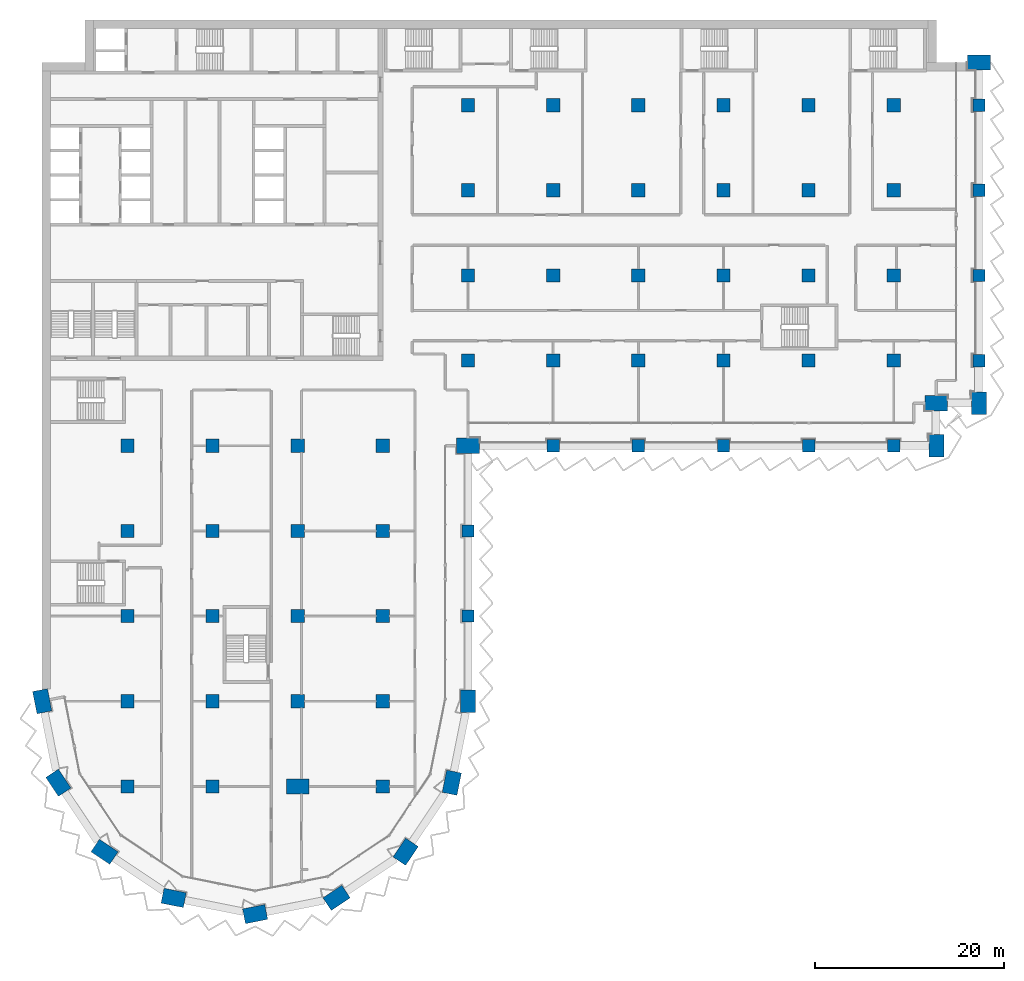
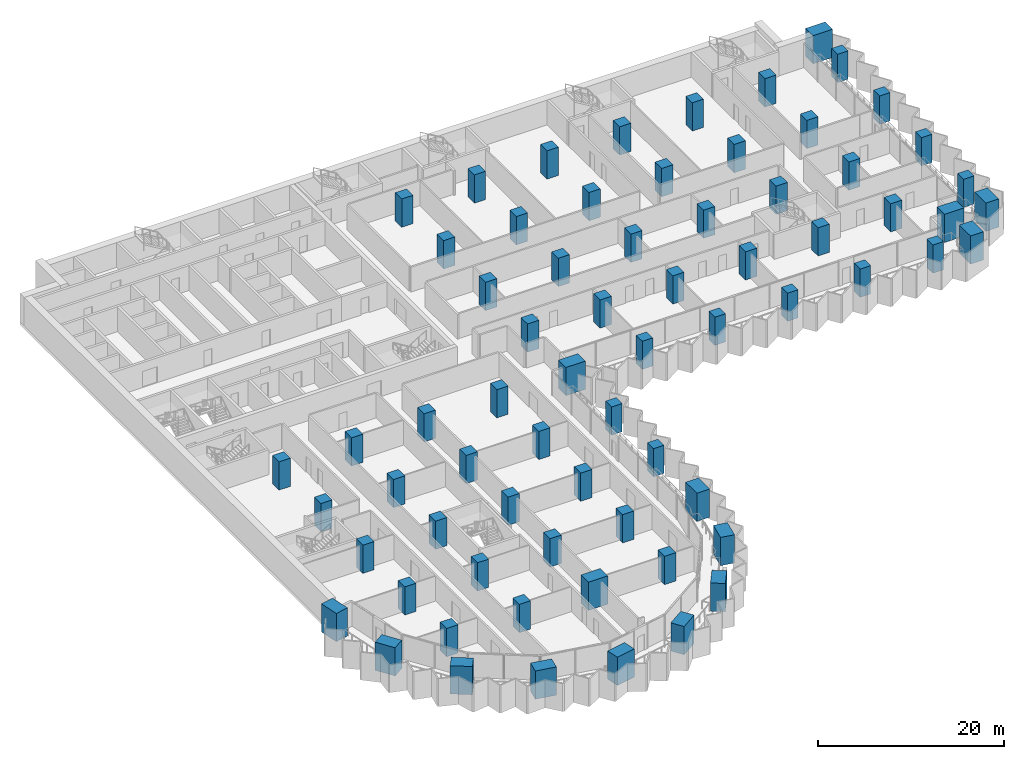
# One storey, part 1 of 28: 69 columns.
"""IFC4 building model written with IfcOpenShell, lengths in metres."""

from ifc_helpers import new_model, si_unit, direction, frame, origin, origin_2d, place, context, subcontext, project, spatial, rectangle, extrude, material, material_profile, profile_set, type_object, element, save


model = new_model("IFC4")

# Units and contexts
model_context = context("Model", 3, precision=1e-05, world=origin(), true_north=direction((0.0, 1.0)))
body_context = subcontext(model_context, "Body", "Model", "MODEL_VIEW")
ifc_project = project(units=[si_unit("LENGTHUNIT", "METRE"), si_unit("AREAUNIT", "SQUARE_METRE"), si_unit("VOLUMEUNIT", "CUBIC_METRE"), si_unit("PLANEANGLEUNIT", "RADIAN"), si_unit("MASSUNIT", "GRAM", prefix="KILO")], contexts=[model_context])

# Site, building, storey
site_placement = place(None, origin())
site = spatial("IfcSite", under=ifc_project, at=site_placement, CompositionType="ELEMENT")
building_placement = place(site_placement, origin())
building = spatial("IfcBuilding", under=site, at=building_placement, Name="Hunhe Ridgeline Campus", CompositionType="ELEMENT")
storey_placement = place(building_placement, frame((0.0, 0.0, 76.5)))
storey = spatial("IfcBuildingStorey", under=building, at=storey_placement, Name="L18", CompositionType="ELEMENT", Elevation=76.5)

# Columns
ifc_material = material(Name="Concrete C80", Category="concrete")
ifc_material_profile_1 = material_profile(ifc_material, rectangle(XDim=2.39990234375, YDim=1.60009765625, at=origin_2d()))
ifc_profile_set_1 = profile_set([ifc_material_profile_1], Name="Concrete C80")
column_type_1 = type_object("IfcColumnType", Name="Megacolumn 2400x1600 Concrete C80", PredefinedType="COLUMN", material=ifc_profile_set_1)
for number, where, z_axis, x_axis, name in (
    (1, (22.5, 4.5, 0.0), (0.0, 0.0, 1.0), (0.980785280403, 0.195090322016, 0.0), "Column C3 R1 L18"),
    (2, (13.8896484375, 6.212646484375, 0.0), (0.0, 0.0, 1.0), (-0.980785280403, 0.195090322016, 0.0), "Column C3 R2 L18"),
    (3, (31.1103515625, 6.212646484375, 0.0), (0.0, 0.0, 1.0), (0.831469612303, 0.55557023302, 0.0), "Column C3 R3 L18"),
    (4, (6.590087890625, 11.090087890625, 0.0), (0.0, 0.0, 1.0), (-0.831469612303, 0.55557023302, 0.0), "Column C3 R4 L18"),
    (5, (38.409912109375, 11.090087890625, 0.0), (0.0, 0.0, 1.0), (0.55557023302, 0.831469612303, 0.0), "Column C3 R5 L18"),
    (6, (1.712646484375, 18.3896484375, 0.0), (0.0, 0.0, 1.0), (-0.55557023302, 0.831469612303, 0.0), "Column C3 R9 L18"),
    (7, (43.287353515625, 18.3896484375, 0.0), (0.0, 0.0, 1.0), (0.195090322016, 0.980785280403, 0.0), "Column C3 R10 L18"),
    (8, (0.0, 27.0, 0.0), (0.0, 0.0, 1.0), (-0.195090322016, 0.980785280403, 0.0), "Column C3 D1 L18"),
    (9, (45.0, 27.0, 0.0), (0.0, 0.0, 1.0), (0.0, 1.0, 0.0), "Column C3 D6 L18"),
    (10, (45.0, 54.0, 0.0), (0.0, 0.0, 1.0), (1.0, 0.0, 0.0), "Column C3 G6 L18"),
    (11, (94.5, 54.0, 0.0), (0.0, 0.0, 1.0), (0.0, 1.0, 0.0), "Column C3 R32 L18"),
    (12, (94.5, 58.5, 0.0), (0.0, 0.0, 1.0), (1.0, 0.0, 0.0), "Column C3 R39 L18"),
    (13, (99.0, 58.5, 0.0), (0.0, 0.0, 1.0), (0.0, 1.0, 0.0), "Column C3 R40 L18"),
    (14, (99.0, 94.5, 0.0), (0.0, 0.0, 1.0), (1.0, 0.0, 0.0), "Column C3 R44 L18"),
    (15, (27.0, 18.0, 0.0), (0.0, 0.0, 1.0), (1.0, 0.0, 0.0), "Column C3 C4 L18"),
):
    element("IfcColumn", number, at=place(storey_placement, frame(where, z_axis=z_axis, x_axis=x_axis)), inside=storey, type_object=column_type_1, Name=name, PredefinedType="COLUMN", context=body_context, shape_type="SweptSolid", body=[
        extrude(rectangle(XDim=2.39990234375, YDim=1.60009765625, at=origin_2d()), origin(), (0.0, 0.0, 1.0), 3.699951171875),
    ])
ifc_material_profile_2 = material_profile(ifc_material, rectangle(XDim=1.300048828125, YDim=1.300048828125, at=origin_2d()))
ifc_profile_set_2 = profile_set([ifc_material_profile_2], Name="Concrete C80")
column_type_2 = type_object("IfcColumnType", Name="RC column 1300x1300 Concrete C80", PredefinedType="COLUMN", material=ifc_profile_set_2)
for number, where, z_axis, x_axis, name in (
    (16, (45.0, 36.0, 0.0), (0.0, 0.0, 1.0), (1.0, 0.0, 0.0), "Column C4 E6 L18"),
    (17, (45.0, 45.0, 0.0), (0.0, 0.0, 1.0), (1.0, 0.0, 0.0), "Column C4 F6 L18"),
    (18, (54.0, 54.0, 0.0), (0.0, 0.0, 1.0), (1.0, 0.0, 0.0), "Column C4 G7 L18"),
    (19, (63.0, 54.0, 0.0), (0.0, 0.0, 1.0), (1.0, 0.0, 0.0), "Column C4 G8 L18"),
    (20, (72.0, 54.0, 0.0), (0.0, 0.0, 1.0), (1.0, 0.0, 0.0), "Column C4 G9 L18"),
    (21, (81.0, 54.0, 0.0), (0.0, 0.0, 1.0), (1.0, 0.0, 0.0), "Column C4 G10 L18"),
    (22, (90.0, 54.0, 0.0), (0.0, 0.0, 1.0), (1.0, 0.0, 0.0), "Column C4 G11 L18"),
    (23, (99.0, 63.0, 0.0), (0.0, 0.0, 1.0), (1.0, 0.0, 0.0), "Column C4 H12 L18"),
    (24, (99.0, 72.0, 0.0), (0.0, 0.0, 1.0), (1.0, 0.0, 0.0), "Column C4 I12 L18"),
    (25, (99.0, 81.0, 0.0), (0.0, 0.0, 1.0), (1.0, 0.0, 0.0), "Column C4 J12 L18"),
    (26, (99.0, 90.0, 0.0), (0.0, 0.0, 1.0), (1.0, 0.0, 0.0), "Column C4 K12 L18"),
):
    element("IfcColumn", number, at=place(storey_placement, frame(where, z_axis=z_axis, x_axis=x_axis)), inside=storey, type_object=column_type_2, Name=name, PredefinedType="COLUMN", context=body_context, shape_type="SweptSolid", body=[
        extrude(rectangle(XDim=1.300048828125, YDim=1.300048828125, at=origin_2d()), origin(), (0.0, 0.0, 1.0), 3.699951171875),
    ])
ifc_material_profile_3 = material_profile(ifc_material, rectangle(XDim=1.39990234375, YDim=1.39990234375, at=origin_2d()))
ifc_profile_set_3 = profile_set([ifc_material_profile_3], Name="Concrete C80")
column_type_3 = type_object("IfcColumnType", Name="RC column 1400x1400 Concrete C80", PredefinedType="COLUMN", material=ifc_profile_set_3)
for number, where, z_axis, x_axis, name in (
    (27, (9.0, 18.0, 0.0), (0.0, 0.0, 1.0), (1.0, 0.0, 0.0), "Column C5 C2 L18"),
    (28, (9.0, 27.0, 0.0), (0.0, 0.0, 1.0), (1.0, 0.0, 0.0), "Column C5 D2 L18"),
    (29, (9.0, 36.0, 0.0), (0.0, 0.0, 1.0), (1.0, 0.0, 0.0), "Column C5 E2 L18"),
    (30, (9.0, 45.0, 0.0), (0.0, 0.0, 1.0), (1.0, 0.0, 0.0), "Column C5 F2 L18"),
    (31, (9.0, 54.0, 0.0), (0.0, 0.0, 1.0), (1.0, 0.0, 0.0), "Column C5 G2 L18"),
    (32, (18.0, 18.0, 0.0), (0.0, 0.0, 1.0), (1.0, 0.0, 0.0), "Column C5 C3 L18"),
    (33, (18.0, 27.0, 0.0), (0.0, 0.0, 1.0), (1.0, 0.0, 0.0), "Column C5 D3 L18"),
    (34, (18.0, 36.0, 0.0), (0.0, 0.0, 1.0), (1.0, 0.0, 0.0), "Column C5 E3 L18"),
    (35, (18.0, 45.0, 0.0), (0.0, 0.0, 1.0), (1.0, 0.0, 0.0), "Column C5 F3 L18"),
    (36, (18.0, 54.0, 0.0), (0.0, 0.0, 1.0), (1.0, 0.0, 0.0), "Column C5 G3 L18"),
    (37, (27.0, 27.0, 0.0), (0.0, 0.0, 1.0), (1.0, 0.0, 0.0), "Column C5 D4 L18"),
    (38, (27.0, 36.0, 0.0), (0.0, 0.0, 1.0), (1.0, 0.0, 0.0), "Column C5 E4 L18"),
    (39, (27.0, 45.0, 0.0), (0.0, 0.0, 1.0), (1.0, 0.0, 0.0), "Column C5 F4 L18"),
    (40, (27.0, 54.0, 0.0), (0.0, 0.0, 1.0), (1.0, 0.0, 0.0), "Column C5 G4 L18"),
    (41, (36.0, 18.0, 0.0), (0.0, 0.0, 1.0), (1.0, 0.0, 0.0), "Column C5 C5 L18"),
    (42, (36.0, 27.0, 0.0), (0.0, 0.0, 1.0), (1.0, 0.0, 0.0), "Column C5 D5 L18"),
    (43, (36.0, 36.0, 0.0), (0.0, 0.0, 1.0), (1.0, 0.0, 0.0), "Column C5 E5 L18"),
    (44, (36.0, 45.0, 0.0), (0.0, 0.0, 1.0), (1.0, 0.0, 0.0), "Column C5 F5 L18"),
    (45, (36.0, 54.0, 0.0), (0.0, 0.0, 1.0), (1.0, 0.0, 0.0), "Column C5 G5 L18"),
    (46, (45.0, 63.0, 0.0), (0.0, 0.0, 1.0), (1.0, 0.0, 0.0), "Column C5 H6 L18"),
    (47, (45.0, 72.0, 0.0), (0.0, 0.0, 1.0), (1.0, 0.0, 0.0), "Column C5 I6 L18"),
    (48, (45.0, 81.0, 0.0), (0.0, 0.0, 1.0), (1.0, 0.0, 0.0), "Column C5 J6 L18"),
    (49, (45.0, 90.0, 0.0), (0.0, 0.0, 1.0), (1.0, 0.0, 0.0), "Column C5 K6 L18"),
    (50, (54.0, 63.0, 0.0), (0.0, 0.0, 1.0), (1.0, 0.0, 0.0), "Column C5 H7 L18"),
    (51, (54.0, 72.0, 0.0), (0.0, 0.0, 1.0), (1.0, 0.0, 0.0), "Column C5 I7 L18"),
    (52, (54.0, 81.0, 0.0), (0.0, 0.0, 1.0), (1.0, 0.0, 0.0), "Column C5 J7 L18"),
    (53, (54.0, 90.0, 0.0), (0.0, 0.0, 1.0), (1.0, 0.0, 0.0), "Column C5 K7 L18"),
    (54, (63.0, 63.0, 0.0), (0.0, 0.0, 1.0), (1.0, 0.0, 0.0), "Column C5 H8 L18"),
    (55, (63.0, 72.0, 0.0), (0.0, 0.0, 1.0), (1.0, 0.0, 0.0), "Column C5 I8 L18"),
    (56, (63.0, 81.0, 0.0), (0.0, 0.0, 1.0), (1.0, 0.0, 0.0), "Column C5 J8 L18"),
    (57, (63.0, 90.0, 0.0), (0.0, 0.0, 1.0), (1.0, 0.0, 0.0), "Column C5 K8 L18"),
    (58, (72.0, 63.0, 0.0), (0.0, 0.0, 1.0), (1.0, 0.0, 0.0), "Column C5 H9 L18"),
    (59, (72.0, 72.0, 0.0), (0.0, 0.0, 1.0), (1.0, 0.0, 0.0), "Column C5 I9 L18"),
    (60, (72.0, 81.0, 0.0), (0.0, 0.0, 1.0), (1.0, 0.0, 0.0), "Column C5 J9 L18"),
    (61, (72.0, 90.0, 0.0), (0.0, 0.0, 1.0), (1.0, 0.0, 0.0), "Column C5 K9 L18"),
    (62, (81.0, 63.0, 0.0), (0.0, 0.0, 1.0), (1.0, 0.0, 0.0), "Column C5 H10 L18"),
    (63, (81.0, 72.0, 0.0), (0.0, 0.0, 1.0), (1.0, 0.0, 0.0), "Column C5 I10 L18"),
    (64, (81.0, 81.0, 0.0), (0.0, 0.0, 1.0), (1.0, 0.0, 0.0), "Column C5 J10 L18"),
    (65, (81.0, 90.0, 0.0), (0.0, 0.0, 1.0), (1.0, 0.0, 0.0), "Column C5 K10 L18"),
    (66, (90.0, 63.0, 0.0), (0.0, 0.0, 1.0), (1.0, 0.0, 0.0), "Column C5 H11 L18"),
    (67, (90.0, 72.0, 0.0), (0.0, 0.0, 1.0), (1.0, 0.0, 0.0), "Column C5 I11 L18"),
    (68, (90.0, 81.0, 0.0), (0.0, 0.0, 1.0), (1.0, 0.0, 0.0), "Column C5 J11 L18"),
    (69, (90.0, 90.0, 0.0), (0.0, 0.0, 1.0), (1.0, 0.0, 0.0), "Column C5 K11 L18"),
):
    element("IfcColumn", number, at=place(storey_placement, frame(where, z_axis=z_axis, x_axis=x_axis)), inside=storey, type_object=column_type_3, Name=name, PredefinedType="COLUMN", context=body_context, shape_type="SweptSolid", body=[
        extrude(rectangle(XDim=1.39990234375, YDim=1.39990234375, at=origin_2d()), origin(), (0.0, 0.0, 1.0), 3.699951171875),
    ])

save(model, "model.ifc")
